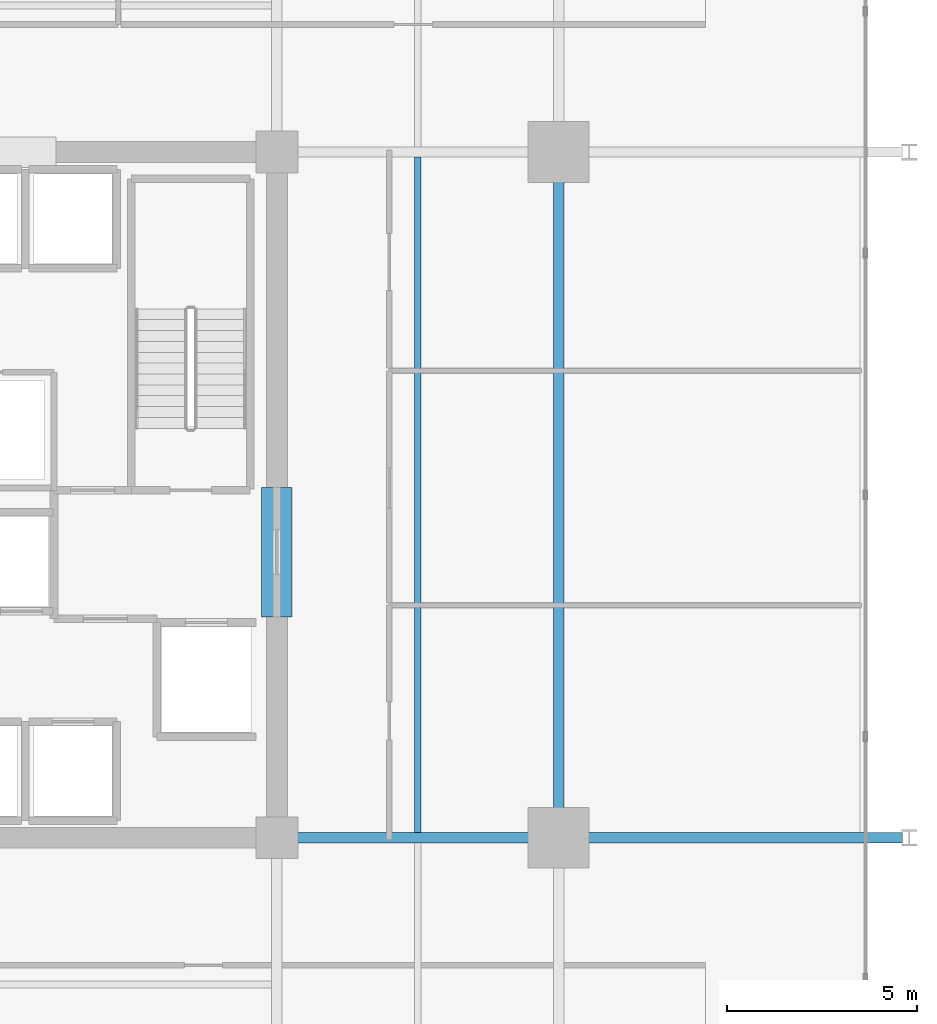
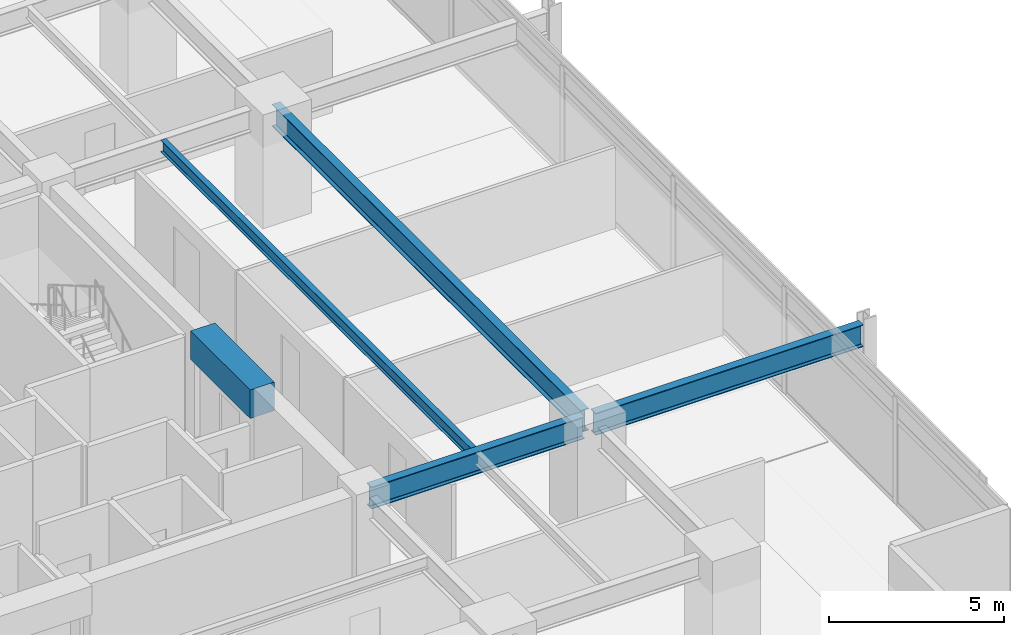
# One storey, part 3 of 23: 5 beams.
"""IFC4 building model written with IfcOpenShell, lengths in metres."""

from ifc_helpers import new_model, si_unit, direction, frame, origin, origin_2d, place, context, subcontext, project, spatial, rectangle, i_section, extrude, material, material_profile, profile_set, type_object, element, save


model = new_model("IFC4")

# Units and contexts
model_context = context("Model", 3, precision=1e-05, world=origin(), true_north=direction((0.0, 1.0)))
body_context = subcontext(model_context, "Body", "Model", "MODEL_VIEW")
ifc_project = project(units=[si_unit("LENGTHUNIT", "METRE"), si_unit("AREAUNIT", "SQUARE_METRE"), si_unit("VOLUMEUNIT", "CUBIC_METRE"), si_unit("PLANEANGLEUNIT", "RADIAN"), si_unit("MASSUNIT", "GRAM", prefix="KILO")], contexts=[model_context])

# Site, building, storey
site_placement = place(None, origin())
site = spatial("IfcSite", under=ifc_project, at=site_placement, CompositionType="ELEMENT")
building_placement = place(site_placement, origin())
building = spatial("IfcBuilding", under=site, at=building_placement, Name="Kovane Verandah Tower", CompositionType="ELEMENT")
storey_placement = place(building_placement, frame((0.0, 0.0, 140.39990234375)))
storey = spatial("IfcBuildingStorey", under=building, at=storey_placement, Name="L32", CompositionType="ELEMENT", Elevation=140.39990234375)

# Beams
ifc_material_1 = material(Name="Concrete C60/75", Category="concrete")
ifc_material_profile_1 = material_profile(ifc_material_1, rectangle(XDim=0.800048828125, YDim=1.0, at=origin_2d()), Name="RCB800x1000")
ifc_profile_set_1 = profile_set([ifc_material_profile_1], Name="Concrete C60/75")
beam_type_1 = type_object("IfcBeamType", Name="BM-LINTEL-800x1000", PredefinedType="LINTEL", material=ifc_profile_set_1)
beam_1_placement = place(storey_placement, frame((51.0, 24.300048828125, 3.275146484375), z_axis=(0.0, 1.0, 0.0), x_axis=(-1.0, 0.0, 0.0)))
element("IfcBeam", 1, at=beam_1_placement, inside=storey, type_object=beam_type_1, Name="L32 Core Coupling Lintel CL-E", PredefinedType="LINTEL", context=body_context, shape_type="SweptSolid", body=[
    extrude(rectangle(XDim=0.800048828125, YDim=1.0, at=origin_2d()), origin(), (0.0, 0.0, 1.0), 3.39990234375),
])
ifc_material_2 = material(Name="Steel S355", Category="steel")
ifc_material_profile_2 = material_profile(ifc_material_2, i_section(OverallWidth=0.26806640625, OverallDepth=0.769775390625, WebThickness=0.015625, FlangeThickness=0.025390625, FilletRadius=0.0166015625, at=origin_2d()), Name="UB762x267x197")
ifc_profile_set_2 = profile_set([ifc_material_profile_2], Name="Steel S355")
beam_type_2 = type_object("IfcBeamType", Name="BM-UB762x197", PredefinedType="BEAM", material=ifc_profile_set_2)
beam_2_placement = place(storey_placement, frame((58.39990234375, 18.679931640625, 3.39013671875), z_axis=(0.0, 1.0, 0.0), x_axis=(-1.0, 0.0, 0.0)))
element("IfcBeam", 2, at=beam_2_placement, inside=storey, type_object=beam_type_2, Name="L32 Primary Tower Girder G-RE2", PredefinedType="BEAM", context=body_context, shape_type="SweptSolid", body=[
    extrude(i_section(OverallWidth=0.26806640625, OverallDepth=0.769775390625, WebThickness=0.015625, FlangeThickness=0.025390625, FilletRadius=0.0166015625, at=origin_2d()), origin(), (0.0, 0.0, 1.0), 17.64013671875),
])
beam_3_placement = place(storey_placement, frame((51.179931640625, 18.5, 3.39013671875), z_axis=(1.0, 0.0, 0.0), x_axis=(0.0, 1.0, 0.0)))
element("IfcBeam", 3, at=beam_3_placement, inside=storey, type_object=beam_type_2, Name="L32 Primary Tower Girder G-E1", PredefinedType="BEAM", context=body_context, shape_type="SweptSolid", body=[
    extrude(i_section(OverallWidth=0.26806640625, OverallDepth=0.769775390625, WebThickness=0.015625, FlangeThickness=0.025390625, FilletRadius=0.0166015625, at=origin_2d()), origin(), (0.0, 0.0, 1.0), 7.0400390625),
])
beam_4_placement = place(storey_placement, frame((58.580078125, 18.5, 3.375244140625), z_axis=(1.0, 0.0, 0.0), x_axis=(0.0, 1.0, 0.0)))
element("IfcBeam", 4, at=beam_4_placement, inside=storey, type_object=beam_type_2, Name="L32 Primary Tower Girder G-VE1", PredefinedType="BEAM", context=body_context, shape_type="SweptSolid", body=[
    extrude(i_section(OverallWidth=0.26806640625, OverallDepth=0.769775390625, WebThickness=0.015625, FlangeThickness=0.025390625, FilletRadius=0.0166015625, at=origin_2d()), origin(), (0.0, 0.0, 1.0), 8.83984375),
])
ifc_material_profile_3 = material_profile(ifc_material_2, i_section(OverallWidth=0.179443359375, OverallDepth=0.412841796875, WebThickness=0.009521484375, FlangeThickness=0.01611328125, FilletRadius=0.01025390625, at=origin_2d()), Name="UB406x178x74")
ifc_profile_set_3 = profile_set([ifc_material_profile_3], Name="Steel S355")
beam_type_3 = type_object("IfcBeamType", Name="JST-UB406x74", PredefinedType="JOIST", material=ifc_profile_set_3)
beam_5_placement = place(storey_placement, frame((54.699951171875, 18.632080078125, 3.568603515625), z_axis=(0.0, 1.0, 0.0), x_axis=(-1.0, 0.0, 0.0)))
element("IfcBeam", 5, at=beam_5_placement, inside=storey, type_object=beam_type_3, Name="L32 Secondary Composite Joist J-E1", PredefinedType="JOIST", context=body_context, shape_type="SweptSolid", body=[
    extrude(i_section(OverallWidth=0.179443359375, OverallDepth=0.412841796875, WebThickness=0.009521484375, FlangeThickness=0.01611328125, FilletRadius=0.01025390625, at=origin_2d()), origin(), (0.0, 0.0, 1.0), 17.73583984375),
])

save(model, "model.ifc")
